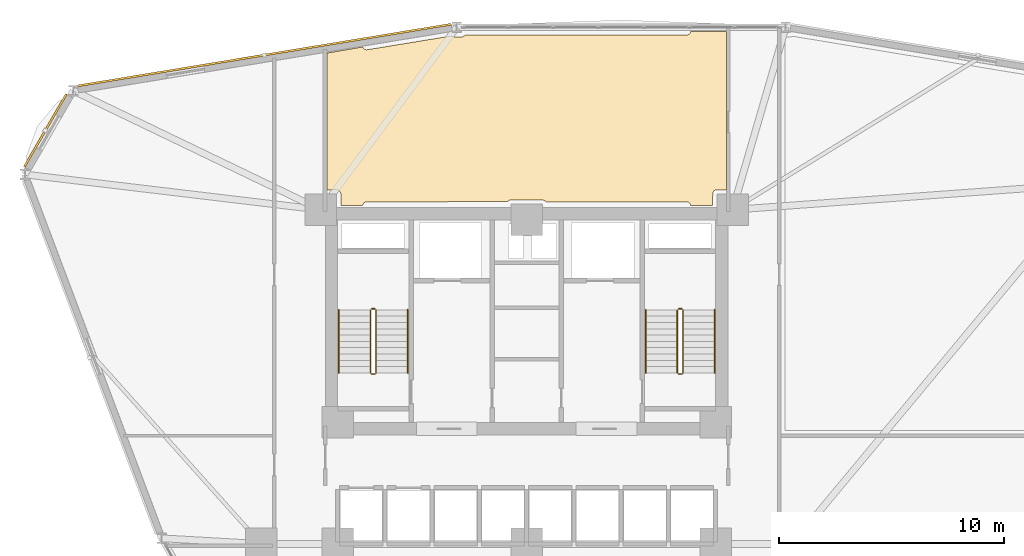
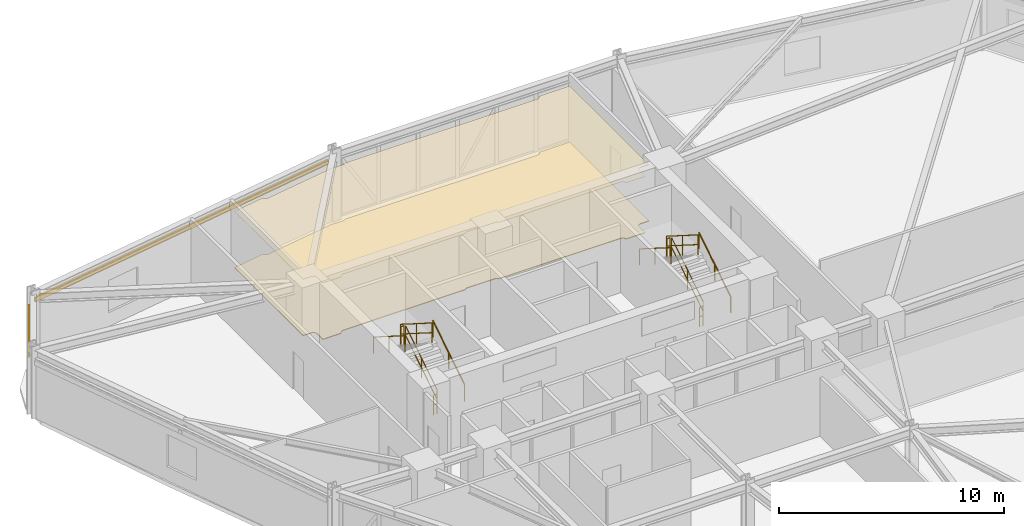
# One storey, part 19 of 20: 12 railings, 2 coverings, 2 shading devices.
"""IFC4 building model written with IfcOpenShell, lengths in metres."""

from ifc_helpers import new_model, si_unit, derived_unit, direction, frame, origin, origin_2d, place, context, subcontext, project, spatial, polyline, hollow_rectangle, circle, outline, extrude, source, transform, mapped, material, layer, layer_set, material_profile, profile_set, type_object, element, save


model = new_model("IFC4")

# Units and contexts
model_context = context("Model", 3, precision=1e-05, world=origin(), true_north=direction((0.0, 1.0)))
body_context = subcontext(model_context, "Body", "Model", "MODEL_VIEW")
ifc_project = project(units=[si_unit("LENGTHUNIT", "METRE"), si_unit("AREAUNIT", "SQUARE_METRE"), si_unit("VOLUMEUNIT", "CUBIC_METRE"), si_unit("PLANEANGLEUNIT", "RADIAN"), si_unit("MASSUNIT", "GRAM", prefix="KILO"), derived_unit("THERMALTRANSMITTANCEUNIT", [(si_unit("POWERUNIT", "WATT"), 1), (si_unit("LENGTHUNIT", "METRE"), -2), (si_unit("THERMODYNAMICTEMPERATUREUNIT", "KELVIN"), -1)])], contexts=[model_context])

# Site, building, storey
site_placement = place(None, origin())
site = spatial("IfcSite", under=ifc_project, at=site_placement, CompositionType="ELEMENT")
building_placement = place(site_placement, origin())
building = spatial("IfcBuilding", under=site, at=building_placement, Name="Korsvarv Bourse and Concert Hall", CompositionType="ELEMENT")
storey_placement = place(building_placement, frame((0.0, 0.0, 87.300048828125)))
storey = spatial("IfcBuildingStorey", under=building, at=storey_placement, Name="L21", CompositionType="ELEMENT", Elevation=87.300048828125)

# Coverings
ifc_material_1 = material(Name="Perforated mineral-wool and birch acoustic baffle ceiling", Category="wood")
ifc_layer_1 = layer(ifc_material_1, 0.02490234375)
ifc_layer_set_1 = layer_set([ifc_layer_1], Name="Perforated mineral-wool and birch acoustic baffle ceiling")
covering_type_1 = type_object("IfcCoveringType", Name="COV-CEIL-1", PredefinedType="CEILING", material=ifc_layer_set_1)
covering_1_placement = place(storey_placement, frame((0.0, 0.0, 3.06005859375)))
element("IfcCovering", 1, at=covering_1_placement, inside=storey, type_object=covering_type_1, Name="L21 acoustic baffle ceiling 3", PredefinedType="CEILING", context=body_context, shape_type="SweptSolid", body=[
    extrude(outline(polyline([(28.71533203125, 54.486083984375), (28.723876953125, 54.46337890625), (28.7421875, 54.4326171875), (28.766357421875, 54.406005859375), (28.795166015625, 54.384765625), (28.82763671875, 54.36962890625), (28.8623046875, 54.361083984375), (28.898193359375, 54.35986328125), (32.58349609375, 54.962646484375), (32.613525390625, 54.94970703125), (32.6474609375, 54.942138671875), (33.098876953125, 54.930908203125), (33.13427734375, 54.93359375), (33.168212890625, 54.943115234375), (33.199951171875, 54.958984375), (33.227783203125, 54.981201171875), (33.250732421875, 55.008056640625), (43.110107421875, 55.017822265625), (43.146240234375, 55.021484375), (43.180908203125, 55.032470703125), (43.212890625, 55.050048828125), (43.240478515625, 55.07373046875), (43.2626953125, 55.1025390625), (43.27880859375, 55.13525390625), (43.287841796875, 55.17041015625), (44.8701171875, 55.177734375), (44.8701171875, 48.139892578125), (44.449951171875, 48.139892578125), (44.415283203125, 48.13671875), (44.381591796875, 48.12646484375), (44.350830078125, 48.110107421875), (44.323486328125, 48.088134765625), (44.30126953125, 48.061279296875), (44.284423828125, 48.03076171875), (44.27392578125, 47.997314453125), (44.27001953125, 47.962646484375), (44.2626953125, 47.43994140625), (43.288818359375, 47.43994140625), (43.2841796875, 47.465087890625), (43.271484375, 47.499267578125), (43.252197265625, 47.5302734375), (43.227294921875, 47.556640625), (43.197265625, 47.577392578125), (43.163818359375, 47.591796875), (43.128173828125, 47.59912109375), (36.859619140625, 47.60009765625), (36.837646484375, 47.626708984375), (36.810791015625, 47.649169921875), (36.77978515625, 47.666015625), (36.74609375, 47.67626953125), (36.711181640625, 47.679931640625), (35.30126953125, 47.68994140625), (35.266357421875, 47.686767578125), (35.232421875, 47.677001953125), (35.201416015625, 47.66064453125), (35.174072265625, 47.638427734375), (35.1513671875, 47.611572265625), (28.889892578125, 47.60009765625), (28.853759765625, 47.59619140625), (28.819091796875, 47.58544921875), (28.787109375, 47.567626953125), (28.759521484375, 47.5439453125), (28.7373046875, 47.51513671875), (28.72119140625, 47.482421875), (28.712158203125, 47.447265625), (27.739990234375, 47.43994140625), (27.739990234375, 47.949951171875), (27.736572265625, 47.98486328125), (27.7265625, 48.018310546875), (27.710205078125, 48.049072265625), (27.688232421875, 48.076171875), (27.66162109375, 48.0986328125), (27.630859375, 48.115478515625), (27.59765625, 48.1259765625), (27.56298828125, 48.1298828125), (27.1298828125, 48.13720703125), (27.1298828125, 54.212890625), (28.71533203125, 54.486083984375)])), origin(), (0.0, 0.0, 1.0), 0.02490234375),
])
ifc_material_2 = material(Name="Calcium-sulphate raised access trading floor with Nordic oak top", Category="wood")
ifc_layer_2 = layer(ifc_material_2, 0.0400390625)
ifc_layer_set_2 = layer_set([ifc_layer_2], Name="Calcium-sulphate raised access trading floor with Nordic oak top")
covering_type_2 = type_object("IfcCoveringType", Name="COV-FLOR-1", PredefinedType="FLOORING", material=ifc_layer_set_2)
covering_2_placement = place(storey_placement, origin())
element("IfcCovering", 2, at=covering_2_placement, inside=storey, type_object=covering_type_2, Name="L21 raised access oak floor finish 3", PredefinedType="FLOORING", context=body_context, shape_type="SweptSolid", body=[
    extrude(outline(polyline([(28.71533203125, 54.486083984375), (28.723876953125, 54.46337890625), (28.7421875, 54.4326171875), (28.766357421875, 54.406005859375), (28.795166015625, 54.384765625), (28.82763671875, 54.36962890625), (28.8623046875, 54.361083984375), (28.898193359375, 54.35986328125), (32.58349609375, 54.962646484375), (32.613525390625, 54.94970703125), (32.6474609375, 54.942138671875), (33.098876953125, 54.930908203125), (33.13427734375, 54.93359375), (33.168212890625, 54.943115234375), (33.199951171875, 54.958984375), (33.227783203125, 54.981201171875), (33.250732421875, 55.008056640625), (43.110107421875, 55.017822265625), (43.146240234375, 55.021484375), (43.180908203125, 55.032470703125), (43.212890625, 55.050048828125), (43.240478515625, 55.07373046875), (43.2626953125, 55.1025390625), (43.27880859375, 55.13525390625), (43.287841796875, 55.17041015625), (44.8701171875, 55.177734375), (44.8701171875, 48.139892578125), (44.449951171875, 48.139892578125), (44.415283203125, 48.13671875), (44.381591796875, 48.12646484375), (44.350830078125, 48.110107421875), (44.323486328125, 48.088134765625), (44.30126953125, 48.061279296875), (44.284423828125, 48.03076171875), (44.27392578125, 47.997314453125), (44.27001953125, 47.962646484375), (44.2626953125, 47.43994140625), (43.288818359375, 47.43994140625), (43.2841796875, 47.465087890625), (43.271484375, 47.499267578125), (43.252197265625, 47.5302734375), (43.227294921875, 47.556640625), (43.197265625, 47.577392578125), (43.163818359375, 47.591796875), (43.128173828125, 47.59912109375), (36.859619140625, 47.60009765625), (36.837646484375, 47.626708984375), (36.810791015625, 47.649169921875), (36.77978515625, 47.666015625), (36.74609375, 47.67626953125), (36.711181640625, 47.679931640625), (35.30126953125, 47.68994140625), (35.266357421875, 47.686767578125), (35.232421875, 47.677001953125), (35.201416015625, 47.66064453125), (35.174072265625, 47.638427734375), (35.1513671875, 47.611572265625), (28.889892578125, 47.60009765625), (28.853759765625, 47.59619140625), (28.819091796875, 47.58544921875), (28.787109375, 47.567626953125), (28.759521484375, 47.5439453125), (28.7373046875, 47.51513671875), (28.72119140625, 47.482421875), (28.712158203125, 47.447265625), (27.739990234375, 47.43994140625), (27.739990234375, 47.949951171875), (27.736572265625, 47.98486328125), (27.7265625, 48.018310546875), (27.710205078125, 48.049072265625), (27.688232421875, 48.076171875), (27.66162109375, 48.0986328125), (27.630859375, 48.115478515625), (27.59765625, 48.1259765625), (27.56298828125, 48.1298828125), (27.1298828125, 48.13720703125), (27.1298828125, 54.212890625), (28.71533203125, 54.486083984375)])), origin(), (0.0, 0.0, 1.0), 0.0400390625),
])

# Railings
ifc_material_3 = material(Name="Painted Steel S355 stair well guardrail", Category="steel")
railing_type_1 = type_object("IfcRailingType", Name="RL-ST-GRD", PredefinedType="GUARDRAIL", material=ifc_material_3)
railing_1_placement = place(storey_placement, frame((29.31005859375, 40.0, 0.17724609375)))
element("IfcRailing", 3, at=railing_1_placement, inside=storey, type_object=railing_type_1, Name="L21 ST-T1 stair guard 1", PredefinedType="GUARDRAIL", context=body_context, shape_type="SweptSolid", body=[
    extrude(circle(Radius=0.02392578125, at=origin_2d()), frame((0.0, 0.0, 1.076171875), z_axis=(0.0, 0.844908973607, 0.534910110503), x_axis=(-1.0, 0.0, 0.0)), (0.0, 0.0, 1.0), 3.31396484375),
    extrude(circle(Radius=0.02392578125, at=origin_2d()), frame((0.0, 0.0, 0.550048828125), z_axis=(0.0, 0.844908973607, 0.534910110503), x_axis=(-1.0, 0.0, 0.0)), (0.0, 0.0, 1.0), 3.31396484375),
    extrude(circle(Radius=0.02099609375, at=origin_2d()), origin(), (0.0, 0.0, 1.0), 1.052001953125),
    extrude(circle(Radius=0.02099609375, at=origin_2d()), frame((0.0, 1.39990234375, 0.88623046875)), (0.0, 0.0, 1.0), 1.052001953125),
    extrude(circle(Radius=0.02099609375, at=origin_2d()), frame((0.0, 2.800048828125, 1.772705078125)), (0.0, 0.0, 1.0), 1.052001953125),
])
railing_2_placement = place(storey_placement, frame((29.260009765625, 42.85009765625, 1.949951171875)))
element("IfcRailing", 4, at=railing_2_placement, inside=storey, type_object=railing_type_1, Name="L21 ST-T1 stair guard 2", PredefinedType="GUARDRAIL", context=body_context, shape_type="SweptSolid", body=[
    extrude(circle(Radius=0.02392578125, at=origin_2d()), frame((0.0, 0.0, 1.076171875), z_axis=(-1.0, 0.0, 0.0), x_axis=(0.0, -1.0, 0.0)), (0.0, 0.0, 1.0), 0.159912109375),
    extrude(circle(Radius=0.02392578125, at=origin_2d()), frame((0.0, 0.0, 0.550048828125), z_axis=(-1.0, 0.0, 0.0), x_axis=(0.0, -1.0, 0.0)), (0.0, 0.0, 1.0), 0.159912109375),
    extrude(circle(Radius=0.02099609375, at=origin_2d()), origin(), (0.0, 0.0, 1.0), 1.052001953125),
    extrude(circle(Radius=0.02099609375, at=origin_2d()), frame((-0.159912109375, 0.0, 0.0)), (0.0, 0.0, 1.0), 1.052001953125),
])
railing_3_placement = place(storey_placement, frame((29.050048828125, 42.800048828125, 2.127197265625)))
element("IfcRailing", 5, at=railing_3_placement, inside=storey, type_object=railing_type_1, Name="L21 ST-T1 stair guard 3", PredefinedType="GUARDRAIL", context=body_context, shape_type="SweptSolid", body=[
    extrude(circle(Radius=0.02392578125, at=origin_2d()), frame((0.0, 0.0, 1.076171875), z_axis=(0.0, -0.844908973607, 0.534910110503), x_axis=(1.0, 0.0, 0.0)), (0.0, 0.0, 1.0), 3.31396484375),
    extrude(circle(Radius=0.02392578125, at=origin_2d()), frame((0.0, 0.0, 0.550048828125), z_axis=(0.0, -0.844908973607, 0.534910110503), x_axis=(1.0, 0.0, 0.0)), (0.0, 0.0, 1.0), 3.31396484375),
    extrude(circle(Radius=0.02099609375, at=origin_2d()), origin(), (0.0, 0.0, 1.0), 1.052001953125),
    extrude(circle(Radius=0.02099609375, at=origin_2d()), frame((0.0, -1.39990234375, 0.88623046875)), (0.0, 0.0, 1.0), 1.052001953125),
    extrude(circle(Radius=0.02099609375, at=origin_2d()), frame((0.0, -2.800048828125, 1.772705078125)), (0.0, 0.0, 1.0), 1.052001953125),
])
railing_4_placement = place(storey_placement, frame((29.260009765625, 39.949951171875, 0.0)))
element("IfcRailing", 6, at=railing_4_placement, inside=storey, type_object=railing_type_1, Name="L21 ST-T1 stair guard 4", PredefinedType="GUARDRAIL", context=body_context, shape_type="SweptSolid", body=[
    extrude(circle(Radius=0.02392578125, at=origin_2d()), frame((0.0, 0.0, 1.076171875), z_axis=(-1.0, 0.0, 0.0), x_axis=(0.0, -1.0, 0.0)), (0.0, 0.0, 1.0), 0.159912109375),
    extrude(circle(Radius=0.02392578125, at=origin_2d()), frame((0.0, 0.0, 0.550048828125), z_axis=(-1.0, 0.0, 0.0), x_axis=(0.0, -1.0, 0.0)), (0.0, 0.0, 1.0), 0.159912109375),
    extrude(circle(Radius=0.02099609375, at=origin_2d()), origin(), (0.0, 0.0, 1.0), 1.052001953125),
    extrude(circle(Radius=0.02099609375, at=origin_2d()), frame((-0.159912109375, 0.0, 0.0)), (0.0, 0.0, 1.0), 1.052001953125),
])
railing_5_placement = place(storey_placement, frame((42.949951171875, 40.0, 0.17724609375)))
element("IfcRailing", 7, at=railing_5_placement, inside=storey, type_object=railing_type_1, Name="L21 ST-T2 stair guard 1", PredefinedType="GUARDRAIL", context=body_context, shape_type="SweptSolid", body=[
    extrude(circle(Radius=0.02392578125, at=origin_2d()), frame((0.0, 0.0, 1.076171875), z_axis=(0.0, 0.844908973607, 0.534910110503), x_axis=(-1.0, 0.0, 0.0)), (0.0, 0.0, 1.0), 3.31396484375),
    extrude(circle(Radius=0.02392578125, at=origin_2d()), frame((0.0, 0.0, 0.550048828125), z_axis=(0.0, 0.844908973607, 0.534910110503), x_axis=(-1.0, 0.0, 0.0)), (0.0, 0.0, 1.0), 3.31396484375),
    extrude(circle(Radius=0.02099609375, at=origin_2d()), origin(), (0.0, 0.0, 1.0), 1.052001953125),
    extrude(circle(Radius=0.02099609375, at=origin_2d()), frame((0.0, 1.39990234375, 0.88623046875)), (0.0, 0.0, 1.0), 1.052001953125),
    extrude(circle(Radius=0.02099609375, at=origin_2d()), frame((0.0, 2.800048828125, 1.772705078125)), (0.0, 0.0, 1.0), 1.052001953125),
])
railing_6_placement = place(storey_placement, frame((42.89990234375, 42.85009765625, 1.949951171875)))
element("IfcRailing", 8, at=railing_6_placement, inside=storey, type_object=railing_type_1, Name="L21 ST-T2 stair guard 2", PredefinedType="GUARDRAIL", context=body_context, shape_type="SweptSolid", body=[
    extrude(circle(Radius=0.02392578125, at=origin_2d()), frame((0.0, 0.0, 1.076171875), z_axis=(-1.0, 0.0, 0.0), x_axis=(0.0, -1.0, 0.0)), (0.0, 0.0, 1.0), 0.159912109375),
    extrude(circle(Radius=0.02392578125, at=origin_2d()), frame((0.0, 0.0, 0.550048828125), z_axis=(-1.0, 0.0, 0.0), x_axis=(0.0, -1.0, 0.0)), (0.0, 0.0, 1.0), 0.159912109375),
    extrude(circle(Radius=0.02099609375, at=origin_2d()), origin(), (0.0, 0.0, 1.0), 1.052001953125),
    extrude(circle(Radius=0.02099609375, at=origin_2d()), frame((-0.159912109375, 0.0, 0.0)), (0.0, 0.0, 1.0), 1.052001953125),
])
railing_7_placement = place(storey_placement, frame((42.68994140625, 42.800048828125, 2.127197265625)))
element("IfcRailing", 9, at=railing_7_placement, inside=storey, type_object=railing_type_1, Name="L21 ST-T2 stair guard 3", PredefinedType="GUARDRAIL", context=body_context, shape_type="SweptSolid", body=[
    extrude(circle(Radius=0.02392578125, at=origin_2d()), frame((0.0, 0.0, 1.076171875), z_axis=(0.0, -0.844908973607, 0.534910110503), x_axis=(1.0, 0.0, 0.0)), (0.0, 0.0, 1.0), 3.31396484375),
    extrude(circle(Radius=0.02392578125, at=origin_2d()), frame((0.0, 0.0, 0.550048828125), z_axis=(0.0, -0.844908973607, 0.534910110503), x_axis=(1.0, 0.0, 0.0)), (0.0, 0.0, 1.0), 3.31396484375),
    extrude(circle(Radius=0.02099609375, at=origin_2d()), origin(), (0.0, 0.0, 1.0), 1.052001953125),
    extrude(circle(Radius=0.02099609375, at=origin_2d()), frame((0.0, -1.39990234375, 0.88623046875)), (0.0, 0.0, 1.0), 1.052001953125),
    extrude(circle(Radius=0.02099609375, at=origin_2d()), frame((0.0, -2.800048828125, 1.772705078125)), (0.0, 0.0, 1.0), 1.052001953125),
])
railing_8_placement = place(storey_placement, frame((42.89990234375, 39.949951171875, 0.0)))
element("IfcRailing", 10, at=railing_8_placement, inside=storey, type_object=railing_type_1, Name="L21 ST-T2 stair guard 4", PredefinedType="GUARDRAIL", context=body_context, shape_type="SweptSolid", body=[
    extrude(circle(Radius=0.02392578125, at=origin_2d()), frame((0.0, 0.0, 1.076171875), z_axis=(-1.0, 0.0, 0.0), x_axis=(0.0, -1.0, 0.0)), (0.0, 0.0, 1.0), 0.159912109375),
    extrude(circle(Radius=0.02392578125, at=origin_2d()), frame((0.0, 0.0, 0.550048828125), z_axis=(-1.0, 0.0, 0.0), x_axis=(0.0, -1.0, 0.0)), (0.0, 0.0, 1.0), 0.159912109375),
    extrude(circle(Radius=0.02099609375, at=origin_2d()), origin(), (0.0, 0.0, 1.0), 1.052001953125),
    extrude(circle(Radius=0.02099609375, at=origin_2d()), frame((-0.159912109375, 0.0, 0.0)), (0.0, 0.0, 1.0), 1.052001953125),
])
ifc_material_4 = material(Name="Brushed stainless Steel S355 tubular handrail", Category="steel")
railing_type_2 = type_object("IfcRailingType", Name="RL-ST-HND", PredefinedType="HANDRAIL", material=ifc_material_4)
railing_9_placement = place(storey_placement, frame((30.7099609375, 40.0, 0.17724609375)))
element("IfcRailing", 11, at=railing_9_placement, inside=storey, type_object=railing_type_2, Name="L21 ST-T1 stair handrail 1", PredefinedType="HANDRAIL", context=body_context, shape_type="SweptSolid", body=[
    extrude(circle(Radius=0.02392578125, at=origin_2d()), frame((0.0, 0.0, 0.8759765625), z_axis=(0.0, 0.844908973607, 0.534910110503), x_axis=(-1.0, 0.0, 0.0)), (0.0, 0.0, 1.0), 3.31396484375),
    extrude(circle(Radius=0.02099609375, at=origin_2d()), origin(), (0.0, 0.0, 1.0), 0.851806640625),
    extrude(circle(Radius=0.02099609375, at=origin_2d()), frame((0.0, 1.39990234375, 0.88623046875)), (0.0, 0.0, 1.0), 0.851806640625),
    extrude(circle(Radius=0.02099609375, at=origin_2d()), frame((0.0, 2.800048828125, 1.772705078125)), (0.0, 0.0, 1.0), 0.851806640625),
])
railing_10_placement = place(storey_placement, frame((27.64990234375, 42.800048828125, 2.127197265625)))
element("IfcRailing", 12, at=railing_10_placement, inside=storey, type_object=railing_type_2, Name="L21 ST-T1 stair handrail 2", PredefinedType="HANDRAIL", context=body_context, shape_type="SweptSolid", body=[
    extrude(circle(Radius=0.02392578125, at=origin_2d()), frame((0.0, 0.0, 0.8759765625), z_axis=(0.0, -0.844908973607, 0.534910110503), x_axis=(1.0, 0.0, 0.0)), (0.0, 0.0, 1.0), 3.31396484375),
    extrude(circle(Radius=0.02099609375, at=origin_2d()), origin(), (0.0, 0.0, 1.0), 0.851806640625),
    extrude(circle(Radius=0.02099609375, at=origin_2d()), frame((0.0, -1.39990234375, 0.88623046875)), (0.0, 0.0, 1.0), 0.851806640625),
    extrude(circle(Radius=0.02099609375, at=origin_2d()), frame((0.0, -2.800048828125, 1.772705078125)), (0.0, 0.0, 1.0), 0.851806640625),
])
railing_11_placement = place(storey_placement, frame((44.35009765625, 40.0, 0.17724609375)))
element("IfcRailing", 13, at=railing_11_placement, inside=storey, type_object=railing_type_2, Name="L21 ST-T2 stair handrail 1", PredefinedType="HANDRAIL", context=body_context, shape_type="SweptSolid", body=[
    extrude(circle(Radius=0.02392578125, at=origin_2d()), frame((0.0, 0.0, 0.8759765625), z_axis=(0.0, 0.844908973607, 0.534910110503), x_axis=(-1.0, 0.0, 0.0)), (0.0, 0.0, 1.0), 3.31396484375),
    extrude(circle(Radius=0.02099609375, at=origin_2d()), origin(), (0.0, 0.0, 1.0), 0.851806640625),
    extrude(circle(Radius=0.02099609375, at=origin_2d()), frame((0.0, 1.39990234375, 0.88623046875)), (0.0, 0.0, 1.0), 0.851806640625),
    extrude(circle(Radius=0.02099609375, at=origin_2d()), frame((0.0, 2.800048828125, 1.772705078125)), (0.0, 0.0, 1.0), 0.851806640625),
])
railing_12_placement = place(storey_placement, frame((41.2900390625, 42.800048828125, 2.127197265625)))
element("IfcRailing", 14, at=railing_12_placement, inside=storey, type_object=railing_type_2, Name="L21 ST-T2 stair handrail 2", PredefinedType="HANDRAIL", context=body_context, shape_type="SweptSolid", body=[
    extrude(circle(Radius=0.02392578125, at=origin_2d()), frame((0.0, 0.0, 0.8759765625), z_axis=(0.0, -0.844908973607, 0.534910110503), x_axis=(1.0, 0.0, 0.0)), (0.0, 0.0, 1.0), 3.31396484375),
    extrude(circle(Radius=0.02099609375, at=origin_2d()), origin(), (0.0, 0.0, 1.0), 0.851806640625),
    extrude(circle(Radius=0.02099609375, at=origin_2d()), frame((0.0, -1.39990234375, 0.88623046875)), (0.0, 0.0, 1.0), 0.851806640625),
    extrude(circle(Radius=0.02099609375, at=origin_2d()), frame((0.0, -2.800048828125, 1.772705078125)), (0.0, 0.0, 1.0), 0.851806640625),
])

# Shading devices
ifc_material_5 = material(Name="Glazed extruded architectural terracotta", Category="ceramic")
ifc_material_profile = material_profile(ifc_material_5, hollow_rectangle(XDim=0.090087890625, YDim=0.260009765625, WallThickness=0.011962890625, at=origin_2d()), Name="TC-BAG 90x260")
ifc_profile_set = profile_set([ifc_material_profile], Name="Glazed extruded architectural terracotta")
shading_device_type = type_object("IfcShadingDeviceType", Name="SHD-BAG-1", PredefinedType="USERDEFINED", material=ifc_profile_set)
shared_shape_1 = source(origin(), body_context, "Body", "SweptSolid", [
    extrude(hollow_rectangle(XDim=0.090087890625, YDim=0.260009765625, WallThickness=0.011962890625, at=origin_2d()), origin(), (0.0, 0.0, 1.0), 3.7421875),
])
shading_device_1_placement = place(storey_placement, frame((15.545654296875, 52.394775390625, 3.070068359375), z_axis=(-0.500012356405, -0.866018269693, 0.0), x_axis=(0.866018269693, -0.500012356405, 0.0)))
element("IfcShadingDevice", 15, at=shading_device_1_placement, inside=storey, type_object=shading_device_type, Name="L21 terracotta baguette sunshade EW-L21-B05", ObjectType="BAGUETTE", PredefinedType="USERDEFINED", context=body_context, shape_type="MappedRepresentation", body=[
    mapped(shared_shape_1, transform((0.0, 0.0, 0.0), scale=1.0)),
])
shared_shape_2 = source(origin(), body_context, "Body", "SweptSolid", [
    extrude(hollow_rectangle(XDim=0.090087890625, YDim=0.260009765625, WallThickness=0.011962890625, at=origin_2d()), origin(), (0.0, 0.0, 1.0), 16.83642578125),
])
shading_device_2_placement = place(storey_placement, frame((32.6455078125, 55.49462890625, 3.070068359375), z_axis=(-0.986649424809, -0.162858566012, 0.0), x_axis=(0.162858566012, -0.986649424809, 0.0)))
element("IfcShadingDevice", 16, at=shading_device_2_placement, inside=storey, type_object=shading_device_type, Name="L21 terracotta baguette sunshade EW-L21-B04", ObjectType="BAGUETTE", PredefinedType="USERDEFINED", context=body_context, shape_type="MappedRepresentation", body=[
    mapped(shared_shape_2, transform((0.0, 0.0, 0.0), scale=1.0)),
])

save(model, "model.ifc")
